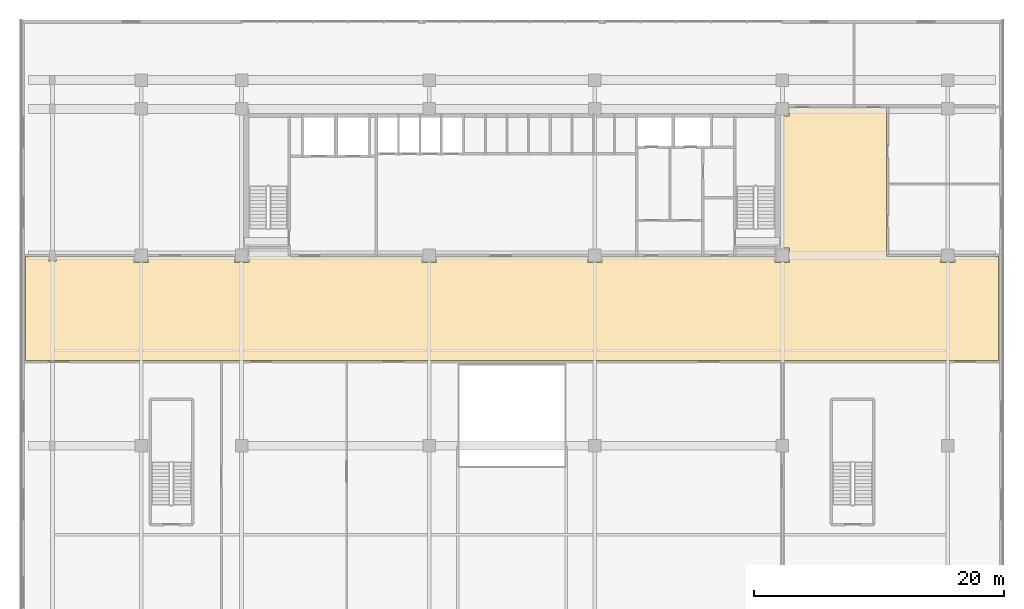
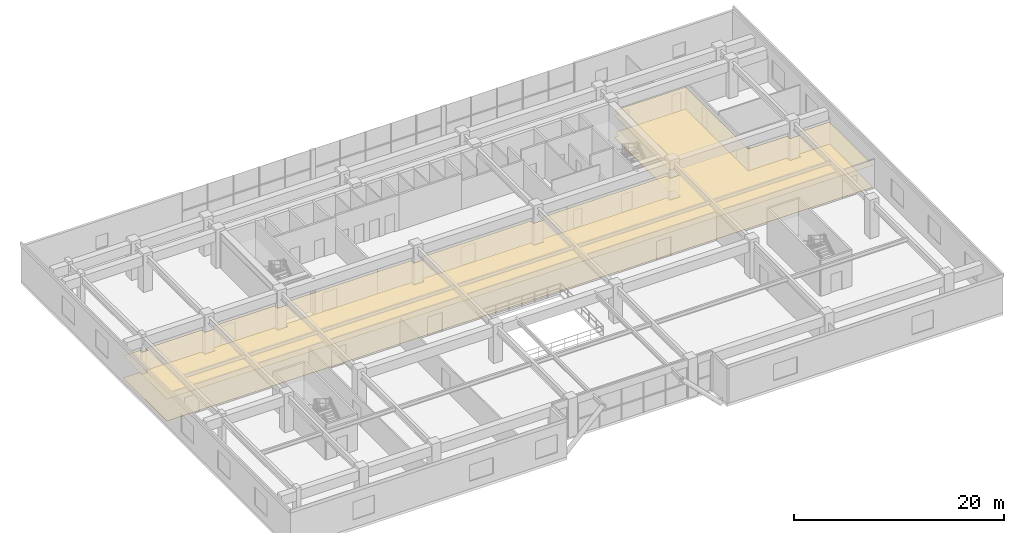
# One storey, part 20 of 21: 2 coverings.
"""IFC4 building model written with IfcOpenShell, lengths in metres."""

from ifc_helpers import new_model, si_unit, direction, frame, origin, place, context, subcontext, project, spatial, polyline, outline, extrude, material, layer, layer_set, type_object, element, save


model = new_model("IFC4")

# Units and contexts
model_context = context("Model", 3, precision=1e-05, world=origin(), true_north=direction((0.0, 1.0)))
body_context = subcontext(model_context, "Body", "Model", "MODEL_VIEW")
ifc_project = project(units=[si_unit("LENGTHUNIT", "METRE"), si_unit("AREAUNIT", "SQUARE_METRE"), si_unit("VOLUMEUNIT", "CUBIC_METRE"), si_unit("PLANEANGLEUNIT", "RADIAN"), si_unit("MASSUNIT", "GRAM", prefix="KILO")], contexts=[model_context])

# Site, building, storey
site_placement = place(None, origin())
site = spatial("IfcSite", under=ifc_project, at=site_placement, CompositionType="ELEMENT")
building_placement = place(site_placement, origin())
building = spatial("IfcBuilding", under=site, at=building_placement, Name="Trelvane Seafront Commons", CompositionType="ELEMENT")
storey_placement = place(building_placement, frame((0.0, 0.0, 14.199951171875)))
storey = spatial("IfcBuildingStorey", under=building, at=storey_placement, Name="L03", CompositionType="ELEMENT", Elevation=14.199951171875)

# Coverings
ifc_material_1 = material(Name="Acoustic Mineral Fibre Ceiling")
ifc_layer_1 = layer(ifc_material_1, 0.02490234375, Name="ARCH-COV-CEIL25")
ifc_layer_set_1 = layer_set([ifc_layer_1], Name="Acoustic Mineral Fibre Ceiling")
covering_type_1 = type_object("IfcCoveringType", Name="ARCH-COV-CEIL25", PredefinedType="CEILING", material=ifc_layer_set_1)
covering_1_placement = place(storey_placement, frame((0.0, 0.0, 2.550048828125)))
element("IfcCovering", 1, at=covering_1_placement, inside=storey, type_object=covering_type_1, Name="COV-CEIL-L03-03", PredefinedType="CEILING", context=body_context, shape_type="SweptSolid", body=[
    extrude(outline(polyline([(72.580078125, 33.300048828125), (72.580078125, 32.820068359375), (71.419921875, 32.820068359375), (71.419921875, 33.300048828125), (67.10009765625, 33.300048828125), (67.10009765625, 45.199951171875), (59.3798828125, 45.199951171875), (59.3798828125, 44.52001953125), (58.85009765625, 44.52001953125), (58.85009765625, 33.97998046875), (59.3798828125, 33.97998046875), (59.3798828125, 32.820068359375), (58.219970703125, 32.820068359375), (58.219970703125, 33.300048828125), (44.3798828125, 33.300048828125), (44.3798828125, 32.820068359375), (43.219970703125, 32.820068359375), (43.219970703125, 33.300048828125), (31.179931640625, 33.300048828125), (31.179931640625, 32.820068359375), (30.02001953125, 32.820068359375), (30.02001953125, 33.300048828125), (16.179931640625, 33.300048828125), (16.179931640625, 32.820068359375), (15.02001953125, 32.820068359375), (15.02001953125, 33.300048828125), (8.179931640625, 33.300048828125), (8.179931640625, 32.820068359375), (7.02001953125, 32.820068359375), (7.02001953125, 33.300048828125), (0.804931640625, 33.300048828125), (0.804931640625, 32.945068359375), (0.195068359375, 32.945068359375), (0.195068359375, 33.300048828125), (-1.64990234375, 33.300048828125), (-1.64990234375, 25.0), (76.050048828125, 25.0), (76.050048828125, 33.300048828125), (72.580078125, 33.300048828125)])), origin(), (0.0, 0.0, 1.0), 0.02490234375),
])
ifc_material_2 = material(Name="Polished Terrazzo Finish")
ifc_layer_2 = layer(ifc_material_2, 0.02001953125, Name="ARCH-COV-FLOR20")
ifc_layer_set_2 = layer_set([ifc_layer_2], Name="Polished Terrazzo Finish")
covering_type_2 = type_object("IfcCoveringType", Name="ARCH-COV-FLOR20", PredefinedType="FLOORING", material=ifc_layer_set_2)
covering_2_placement = place(storey_placement, origin())
element("IfcCovering", 2, at=covering_2_placement, inside=storey, type_object=covering_type_2, Name="COV-FLOR-L03-03", PredefinedType="FLOORING", context=body_context, shape_type="SweptSolid", body=[
    extrude(outline(polyline([(72.580078125, 33.300048828125), (72.580078125, 32.820068359375), (71.419921875, 32.820068359375), (71.419921875, 33.300048828125), (67.10009765625, 33.300048828125), (67.10009765625, 45.199951171875), (59.3798828125, 45.199951171875), (59.3798828125, 44.52001953125), (58.85009765625, 44.52001953125), (58.85009765625, 33.97998046875), (59.3798828125, 33.97998046875), (59.3798828125, 32.820068359375), (58.219970703125, 32.820068359375), (58.219970703125, 33.300048828125), (44.3798828125, 33.300048828125), (44.3798828125, 32.820068359375), (43.219970703125, 32.820068359375), (43.219970703125, 33.300048828125), (31.179931640625, 33.300048828125), (31.179931640625, 32.820068359375), (30.02001953125, 32.820068359375), (30.02001953125, 33.300048828125), (16.179931640625, 33.300048828125), (16.179931640625, 32.820068359375), (15.02001953125, 32.820068359375), (15.02001953125, 33.300048828125), (8.179931640625, 33.300048828125), (8.179931640625, 32.820068359375), (7.02001953125, 32.820068359375), (7.02001953125, 33.300048828125), (0.804931640625, 33.300048828125), (0.804931640625, 32.945068359375), (0.195068359375, 32.945068359375), (0.195068359375, 33.300048828125), (-1.64990234375, 33.300048828125), (-1.64990234375, 25.0), (76.050048828125, 25.0), (76.050048828125, 33.300048828125), (72.580078125, 33.300048828125)])), origin(), (0.0, 0.0, 1.0), 0.02001953125),
])

save(model, "model.ifc")
